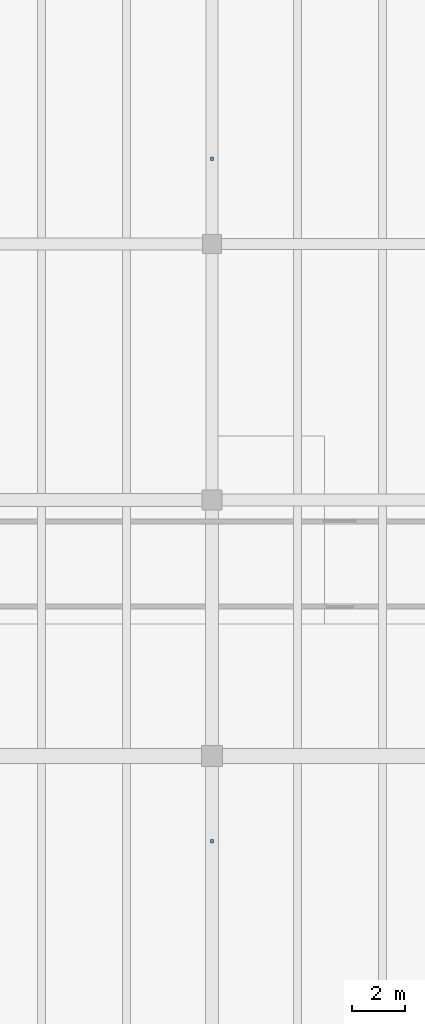
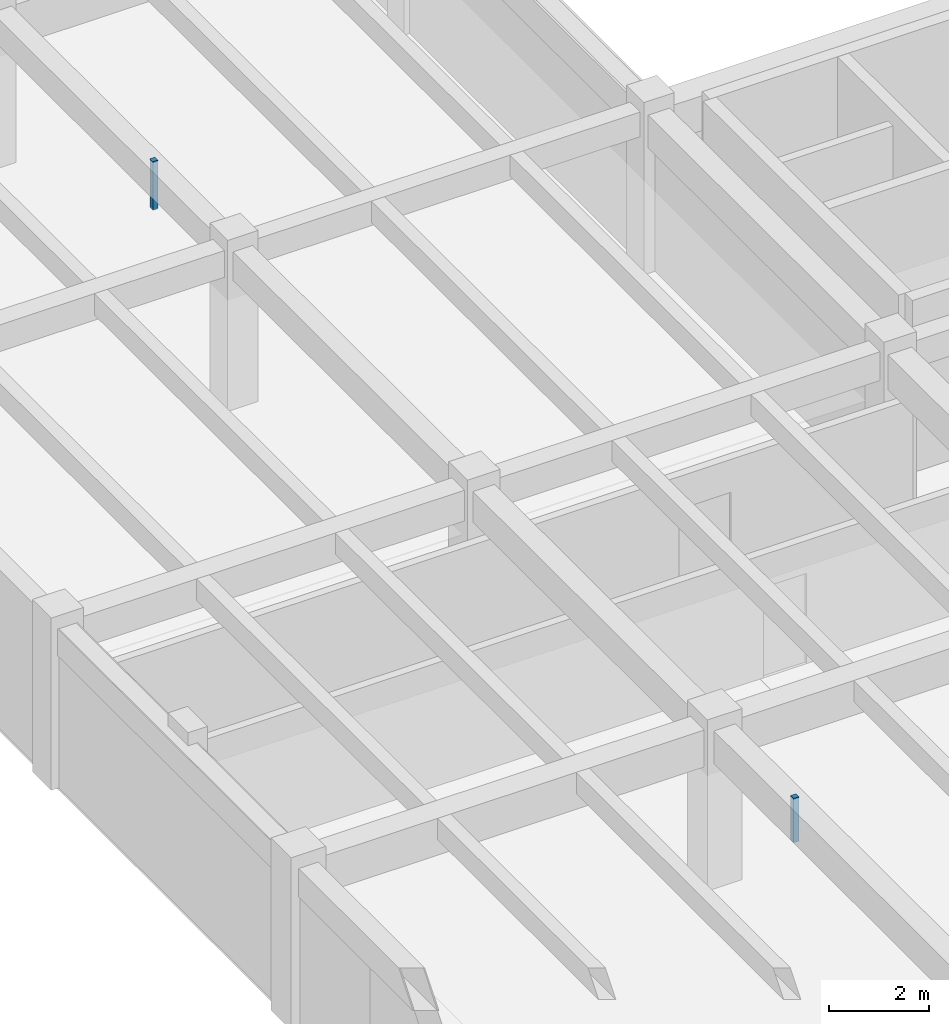
# One storey, part 16 of 28: 2 discrete accessories.
"""IFC4 building model written with IfcOpenShell, lengths in metres."""

from ifc_helpers import new_model, si_unit, direction, frame, origin, origin_2d, place, context, subcontext, project, spatial, rectangle, extrude, material, type_object, element, save


model = new_model("IFC4")

# Units and contexts
model_context = context("Model", 3, precision=1e-05, world=origin(), true_north=direction((0.0, 1.0)))
body_context = subcontext(model_context, "Body", "Model", "MODEL_VIEW")
ifc_project = project(units=[si_unit("LENGTHUNIT", "METRE"), si_unit("AREAUNIT", "SQUARE_METRE"), si_unit("VOLUMEUNIT", "CUBIC_METRE"), si_unit("PLANEANGLEUNIT", "RADIAN"), si_unit("MASSUNIT", "GRAM", prefix="KILO")], contexts=[model_context])

# Site, building, storey
site_placement = place(None, origin())
site = spatial("IfcSite", under=ifc_project, at=site_placement, CompositionType="ELEMENT")
building_placement = place(site_placement, origin())
building = spatial("IfcBuilding", under=site, at=building_placement, Name="Fikremerkos Civic Library", CompositionType="ELEMENT")
storey_placement = place(building_placement, frame((0.0, 0.0, -4.199951171875)))
storey = spatial("IfcBuildingStorey", under=building, at=storey_placement, Name="B01", CompositionType="ELEMENT", Elevation=-4.199951171875)

# Discrete accessories
ifc_material = material(Name="Galvanized Steel S275", Category="steel")
discrete_accessory_type = type_object("IfcDiscreteAccessoryType", Name="Ceiling hanger bracket BRK-01", PredefinedType="BRACKET", material=ifc_material)
discrete_accessory_1_placement = place(storey_placement, frame((9.60009765625, 8.800048828125, 2.81982421875), z_axis=(0.0, 0.0, 1.0), x_axis=(1.0, 0.0, 0.0)))
element("IfcDiscreteAccessory", 1, at=discrete_accessory_1_placement, inside=storey, type_object=discrete_accessory_type, Name="Acoustic ceiling hanger bracket #12", PredefinedType="BRACKET", context=body_context, shape_type="SweptSolid", body=[
    extrude(rectangle(XDim=0.1201171875, YDim=0.1201171875, at=origin_2d()), origin(), (0.0, 0.0, 1.0), 1.080078125),
])
discrete_accessory_2_placement = place(storey_placement, frame((9.60009765625, 34.39990234375, 2.72021484375), z_axis=(0.0, 0.0, 1.0), x_axis=(1.0, 0.0, 0.0)))
element("IfcDiscreteAccessory", 2, at=discrete_accessory_2_placement, inside=storey, type_object=discrete_accessory_type, Name="Acoustic ceiling hanger bracket #13", PredefinedType="BRACKET", context=body_context, shape_type="SweptSolid", body=[
    extrude(rectangle(XDim=0.1201171875, YDim=0.1201171875, at=origin_2d()), origin(), (0.0, 0.0, 1.0), 1.179931640625),
])

save(model, "model.ifc")
